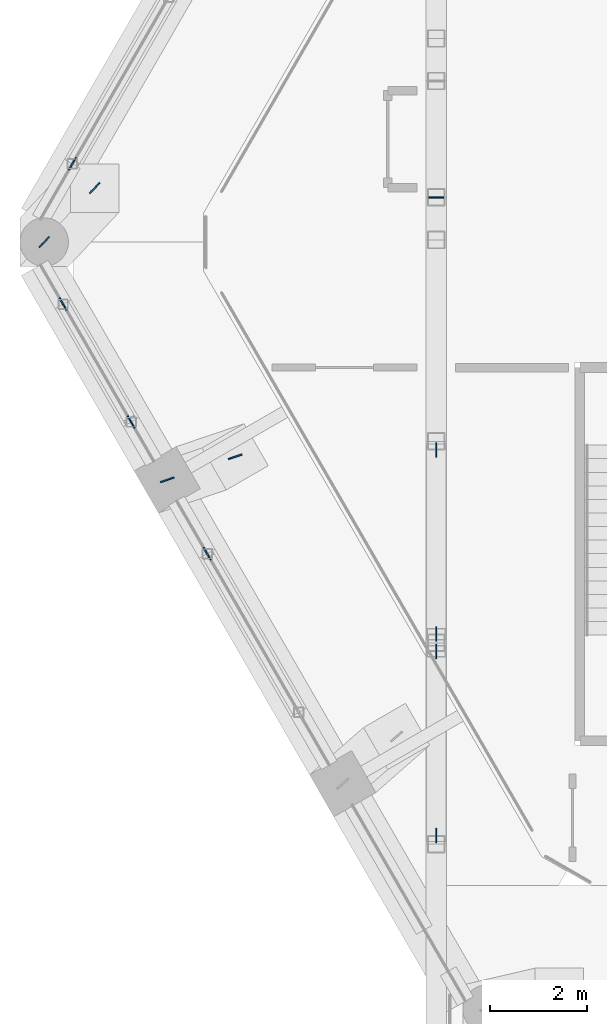
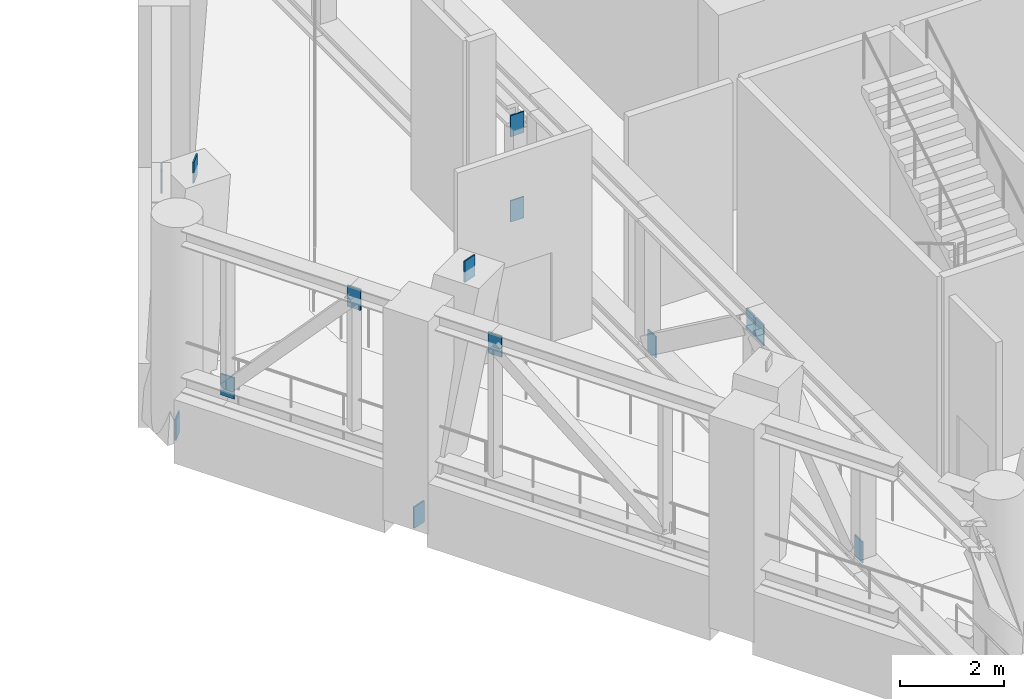
# One storey, part 13 of 22: 14 discrete accessories.
"""IFC4 building model written with IfcOpenShell, lengths in metres."""

import ifcopenshell
import ifcopenshell.guid

model = None  # the IFC model being written
_history = None  # IfcOwnerHistory: only IFC2X3 demands one
_inside = {}  # id of a spatial element -> (the spatial element, [elements in it])
_under = {}  # id of a project, library or spatial element -> (it, [spatial elements below it])
_declared = {}  # id of a project -> (the project, [libraries it declares])
_typed = {}  # id of a type object -> (the type object, [elements of that type])
_made_of = {}  # id of a material, layer set ... -> (it, [elements and type objects made of it])


def new_model(schema):
    """Start an empty IFC model of exactly this schema.

    Asked for "IFC4X3", IfcOpenShell would pick the latest addendum, in which some entities
    have other attributes; the version numbers below select the first issue.
    IFC2X3 requires an IfcOwnerHistory on every rooted entity: one is made here for all.
    """
    global model, _history
    if schema == "IFC4X3":
        model = ifcopenshell.file(schema_version=(4, 3, 0, 0))
    else:
        model = ifcopenshell.file(schema=schema)
    _inside.clear()
    _under.clear()
    _declared.clear()
    _typed.clear()
    _made_of.clear()
    _history = None
    if model.schema == "IFC2X3":
        org = make("IfcOrganization", Name="unknown")
        user = make(
            "IfcPersonAndOrganization",
            ThePerson=make("IfcPerson", FamilyName="unknown"),
            TheOrganization=org,
        )
        app = make(
            "IfcApplication",
            ApplicationDeveloper=org,
            Version="unknown",
            ApplicationFullName="unknown",
            ApplicationIdentifier="unknown",
        )
        _history = make(
            "IfcOwnerHistory",
            OwningUser=user,
            OwningApplication=app,
            ChangeAction="ADDED",
            CreationDate=0,
        )
    return model


def make(cls, **values):
    """One entity of the class cls with the attributes given. An attribute that is None is left unset."""
    return model.create_entity(
        cls, **{name: value for name, value in values.items() if value is not None}
    )


def rooted(cls, **values):
    """An entity with a GlobalId (a new one), such as an element, a storey or a relation."""
    return make(cls, GlobalId=ifcopenshell.guid.new(), OwnerHistory=_history, **values)


def si_unit(unit_type, name, prefix=None):
    """IfcSIUnit, for example si_unit("LENGTHUNIT", "METRE", prefix="MILLI")."""
    return make("IfcSIUnit", UnitType=unit_type, Prefix=prefix, Name=name)


def assignment(units):
    """IfcUnitAssignment: the units of a project."""
    return None if units is None else make("IfcUnitAssignment", Units=units)


def point(xyz):
    """IfcCartesianPoint."""
    return None if xyz is None else make("IfcCartesianPoint", Coordinates=xyz)


def direction(xyz):
    """IfcDirection."""
    return None if xyz is None else make("IfcDirection", DirectionRatios=xyz)


def frame(location, z_axis=None, x_axis=None):
    """IfcAxis2Placement3D, a coordinate frame: its origin and axes. An axis left out is left unset."""
    return make(
        "IfcAxis2Placement3D",
        Location=point(location),
        Axis=direction(z_axis),
        RefDirection=direction(x_axis),
    )


def frame_2d(location, x_axis=None):
    """IfcAxis2Placement2D, a coordinate frame in the plane: its origin and x axis."""
    return make(
        "IfcAxis2Placement2D", Location=point(location), RefDirection=direction(x_axis)
    )


def origin():
    """The frame at (0, 0, 0) with its axes left unset."""
    return frame((0.0, 0.0, 0.0))


def origin_2d():
    """The frame at (0, 0) in the plane with its x axis left unset."""
    return frame_2d((0.0, 0.0))


def place(relative_to, where):
    """IfcLocalPlacement: puts the frame where relative to a parent placement (None: the world)."""
    return make(
        "IfcLocalPlacement", PlacementRelTo=relative_to, RelativePlacement=where
    )


def context(
    kind, dimensions, precision=None, world=None, true_north=None, identifier=None
):
    """IfcGeometricRepresentationContext, for example the 3D "Model" context."""
    return make(
        "IfcGeometricRepresentationContext",
        ContextIdentifier=identifier,
        ContextType=kind,
        CoordinateSpaceDimension=dimensions,
        Precision=precision,
        WorldCoordinateSystem=world,
        TrueNorth=true_north,
    )


def subcontext(parent, identifier, kind, view, scale=None):
    """IfcGeometricRepresentationSubContext, for example "Body" below "Model"."""
    return make(
        "IfcGeometricRepresentationSubContext",
        ContextIdentifier=identifier,
        ContextType=kind,
        ParentContext=parent,
        TargetScale=scale,
        TargetView=view,
    )


def project(units=None, contexts=None):
    """IfcProject with its units and contexts."""
    return rooted(
        "IfcProject",
        Name="project",
        RepresentationContexts=contexts,
        UnitsInContext=assignment(units),
    )


def spatial(cls, under=None, at=None, **own):
    """A site, building, storey or space (cls), placed at a placement, below another one or the project."""
    s = rooted(cls, ObjectPlacement=at, **own)
    if under is not None:
        _under.setdefault(under.id(), (under, []))[1].append(s)
    return s


def profile(cls, at=None, kind="AREA", **sizes):
    """A parametric profile (cls). Its sizes go by their IFC names, for example OverallWidth=200.0."""
    return make(cls, ProfileType=kind, Position=at, **sizes)


def rectangle(**sizes):
    """IfcRectangleProfileDef."""
    return profile("IfcRectangleProfileDef", **sizes)


def extrude(swept, where, along, depth):
    """IfcExtrudedAreaSolid: the profile swept, set in the frame where, extruded along a direction by depth."""
    return make(
        "IfcExtrudedAreaSolid",
        SweptArea=swept,
        Position=where,
        ExtrudedDirection=direction(along),
        Depth=depth,
    )


def shape(context_of_items, identifier, shape_type, items):
    """IfcShapeRepresentation: the items that make up one representation, for example the "Body"."""
    return make(
        "IfcShapeRepresentation",
        ContextOfItems=context_of_items,
        RepresentationIdentifier=identifier,
        RepresentationType=shape_type,
        Items=items,
    )


def material(Name=None, Category=None):
    """IfcMaterial."""
    return make("IfcMaterial", Name=Name, Category=Category)


def layer(
    of_material, thickness, ventilated=None, Name=None, Category=None, Priority=None
):
    """IfcMaterialLayer: one layer of a wall or slab, of a material (None: an air gap)."""
    return make(
        "IfcMaterialLayer",
        Material=of_material,
        LayerThickness=thickness,
        IsVentilated=ventilated,
        Name=Name,
        Category=Category,
        Priority=Priority,
    )


def layer_set(layers, Name=None):
    """IfcMaterialLayerSet."""
    return make("IfcMaterialLayerSet", MaterialLayers=layers, LayerSetName=Name)


def made_of(thing, what):
    """Note that an element or type object is made of a material, layer set ...; save() writes the relation."""
    if what is not None:
        _made_of.setdefault(what.id(), (what, []))[1].append(thing)
    return thing


def type_object(cls, material=None, **own):
    """A type object (cls), such as IfcWallType, which elements share."""
    return made_of(rooted(cls, **own), material)


def element(
    cls,
    number,
    at=None,
    inside=None,
    cuts=None,
    type_object=None,
    material=None,
    context=None,
    identifier="Body",
    shape_type=None,
    held_by="IfcProductDefinitionShape",
    body=None,
    shapes=None,
    **own,
):
    """One element of the class cls, such as IfcWall. Its Tag is "e" and its number.

    at: its placement. inside: the storey or other place that contains it. cuts: it is an
    opening in that element (IfcRelVoidsElement). A single representation is given by context,
    identifier, shape_type and body (its items); several are given by shapes. held_by: the class
    of the entity that holds the representations. save() writes the other relations.
    """
    e = rooted(cls, Tag="e%d" % number, ObjectPlacement=at, **own)
    if body is not None:
        shapes = [shape(context, identifier, shape_type, body)]
    if shapes is not None:
        e.Representation = make(held_by, Representations=shapes)
    if inside is not None:
        _inside.setdefault(inside.id(), (inside, []))[1].append(e)
    if cuts is not None:
        rooted(
            "IfcRelVoidsElement", RelatingBuildingElement=cuts, RelatedOpeningElement=e
        )
    if type_object is not None:
        _typed.setdefault(type_object.id(), (type_object, []))[1].append(e)
    return made_of(e, material)


def aggregate(whole, parts):
    """IfcRelAggregates: a whole, such as a stair, and the parts it consists of."""
    return rooted("IfcRelAggregates", RelatingObject=whole, RelatedObjects=parts)


def save(model, path):
    """Write the relations noted so far, then the file.

    IfcRelAggregates (storeys below a building ...), IfcRelContainedInSpatialStructure (elements
    in a storey), IfcRelDefinesByType, IfcRelAssociatesMaterial and IfcRelDeclares: one each for
    every whole, place, type object, material and project.
    """
    for whole, parts in _under.values():
        aggregate(whole, parts)
    for where, things in _inside.values():
        rooted(
            "IfcRelContainedInSpatialStructure",
            RelatedElements=things,
            RelatingStructure=where,
        )
    for kind, things in _typed.values():
        rooted("IfcRelDefinesByType", RelatedObjects=things, RelatingType=kind)
    for what, things in _made_of.values():
        rooted("IfcRelAssociatesMaterial", RelatedObjects=things, RelatingMaterial=what)
    for by, libraries in _declared.values():
        rooted("IfcRelDeclares", RelatingContext=by, RelatedDefinitions=libraries)
    model.write(path)


model = new_model("IFC4")

# Units and contexts
model_context = context("Model", 3, precision=1e-05, world=origin(), true_north=direction((0.0, 1.0)))
body_context = subcontext(model_context, "Body", "Model", "MODEL_VIEW")
ifc_project = project(units=[si_unit("LENGTHUNIT", "METRE"), si_unit("AREAUNIT", "SQUARE_METRE"), si_unit("VOLUMEUNIT", "CUBIC_METRE"), si_unit("PLANEANGLEUNIT", "RADIAN"), si_unit("MASSUNIT", "GRAM", prefix="KILO")], contexts=[model_context])

# Site, building, storey
site_placement = place(None, origin())
site = spatial("IfcSite", under=ifc_project, at=site_placement, CompositionType="ELEMENT")
building_placement = place(site_placement, origin())
building = spatial("IfcBuilding", under=site, at=building_placement, Name="Ostrander Bayou Hotel Tower", CompositionType="ELEMENT")
storey_placement = place(building_placement, frame((0.0, 0.0, 209.5)))
storey = spatial("IfcBuildingStorey", under=building, at=storey_placement, Name="L52", CompositionType="ELEMENT", Elevation=209.5)

# Discrete accessories
ifc_material = material(Name="Steel ASTM A572 Gr 50", Category="steel")
ifc_layer = layer(ifc_material, 0.030029296875)
ifc_layer_set = layer_set([ifc_layer], Name="GP1 gusset plate 30 mm")
discrete_accessory_type = type_object("IfcDiscreteAccessoryType", Name="GP1 gusset plate 30 mm", PredefinedType="BRACKET", material=ifc_layer_set)
for number, where, z_axis, x_axis, name in (
    (1, (-19.614501953125, 0.501220703125, 3.18212890625), (0.0, 0.0, 1.0), (-0.5, -0.866025403784, 0.0), "GP1 gusset plate belt 36"),
    (2, (-19.80712890625, -2.39306640625, 0.117919921875), (0.0, 0.0, 1.0), (0.500015114919, -0.866016677006, 0.0), "GP1 gusset plate belt 37"),
    (3, (-18.403564453125, -4.82421875, 3.18212890625), (0.0, 0.0, 1.0), (0.500015114919, -0.866016677006, 0.0), "GP1 gusset plate belt 38"),
    (4, (-16.8359375, -7.539306640625, 3.18212890625), (0.0, 0.0, 1.0), (-0.500015114919, 0.866016677006, 0.0), "GP1 gusset plate belt 40"),
    (5, (-12.110107421875, -0.189697265625, 0.247802734375), (0.0, 0.0, 1.0), (1.0, 0.0, 0.0), "GP1 gusset plate bar 175"),
    (6, (-12.110107421875, -0.189697265625, 2.25), (0.0, 0.0, 1.0), (1.0, 0.0, 0.0), "GP1 gusset plate bar 176"),
    (7, (-12.110107421875, -5.3994140625, 0.247802734375), (0.0, 0.0, 1.0), (0.0, -1.0, 0.0), "GP1 gusset plate bar 177"),
    (8, (-12.110107421875, -9.198486328125, 3.05224609375), (0.0, 0.0, 1.0), (0.0, -1.0, 0.0), "GP1 gusset plate bar 178"),
    (9, (-12.110107421875, -13.353271484375, 0.247802734375), (0.0, 0.0, 1.0), (0.0, 1.0, 0.0), "GP1 gusset plate bar 179"),
    (10, (-12.110107421875, -9.55419921875, 3.05224609375), (0.0, 0.0, 1.0), (0.0, 1.0, 0.0), "GP1 gusset plate bar 180"),
    (11, (-20.194580078125, -1.11279296875, -1.449951171875), (0.0, 0.0, 1.0), (0.68266183466, 0.730734438424, 0.0), "GP1 gusset plate belt 123"),
    (12, (-19.155029296875, 0.0, 3.550048828125), (0.0, 0.0, 1.0), (0.68266183466, 0.730734438424, 0.0), "GP1 gusset plate belt 124"),
    (13, (-17.6572265625, -6.0166015625, -1.449951171875), (0.0, 0.0, 1.0), (0.946986216842, 0.321274189923, 0.0), "GP1 gusset plate belt 141"),
    (14, (-16.257080078125, -5.541748046875, 3.550048828125), (0.0, 0.0, 1.0), (0.946986216842, 0.321274189923, 0.0), "GP1 gusset plate belt 142"),
):
    element("IfcDiscreteAccessory", number, at=place(storey_placement, frame(where, z_axis=z_axis, x_axis=x_axis)), inside=storey, type_object=discrete_accessory_type, Name=name, PredefinedType="BRACKET", context=body_context, shape_type="SweptSolid", body=[
        extrude(rectangle(XDim=0.300048828125, YDim=0.030029296875, at=origin_2d()), origin(), (0.0, 0.0, 1.0), 0.5),
    ])

save(model, "model.ifc")
